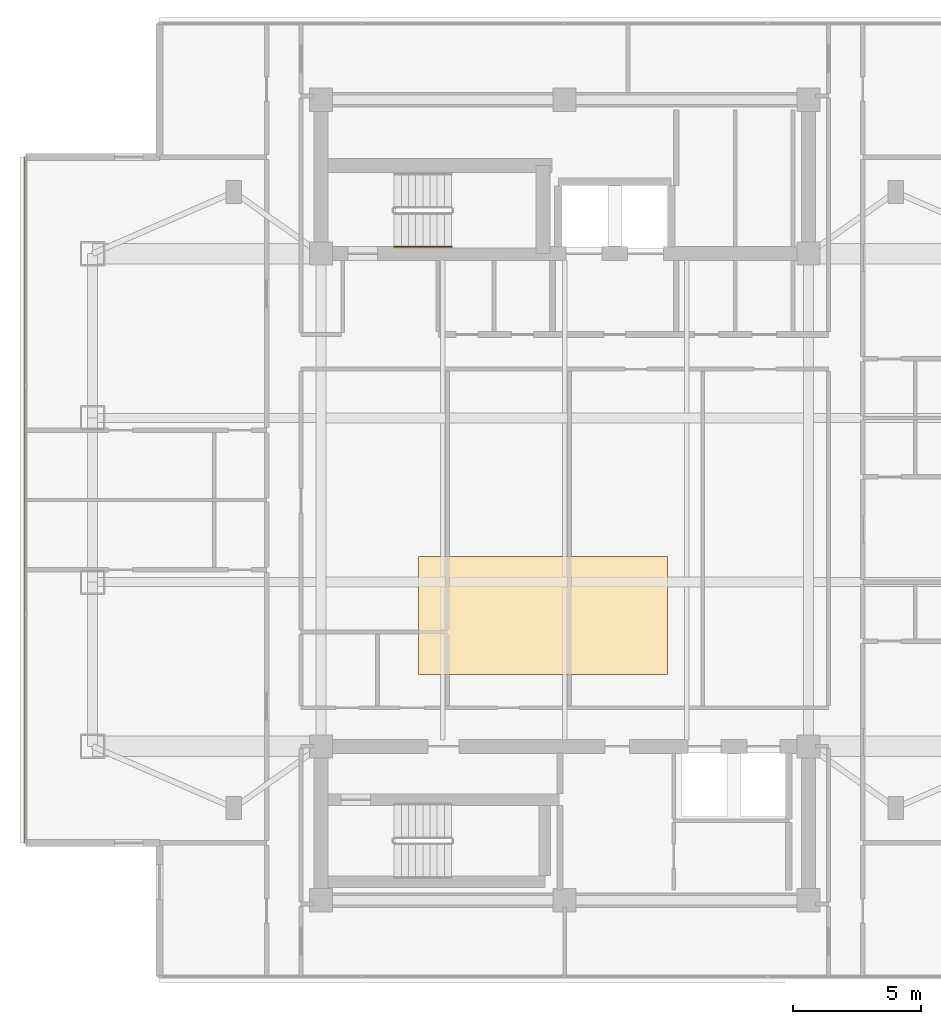
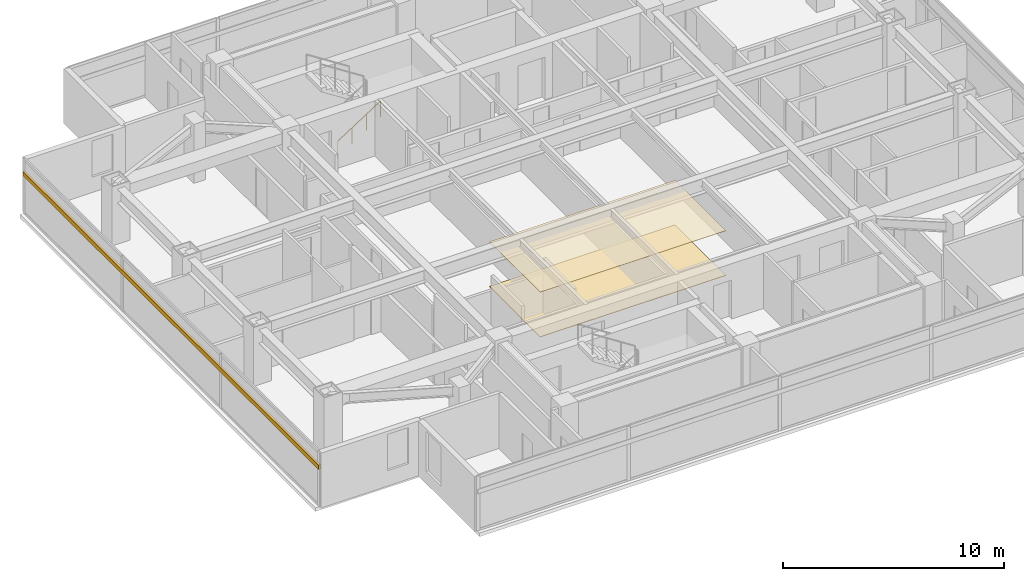
# One storey, part 21 of 26: 2 coverings, 1 railing, 1 shading device.
"""IFC4 building model written with IfcOpenShell, lengths in metres."""

from ifc_helpers import new_model, si_unit, direction, frame, origin, origin_2d, place, context, subcontext, project, spatial, polyline, rectangle, circle, outline, extrude, material, layer, layer_set, material_profile, profile_set, type_object, element, save


model = new_model("IFC4")

# Units and contexts
model_context = context("Model", 3, precision=1e-05, world=origin(), true_north=direction((0.0, 1.0)))
body_context = subcontext(model_context, "Body", "Model", "MODEL_VIEW")
ifc_project = project(units=[si_unit("LENGTHUNIT", "METRE"), si_unit("AREAUNIT", "SQUARE_METRE"), si_unit("VOLUMEUNIT", "CUBIC_METRE"), si_unit("PLANEANGLEUNIT", "RADIAN"), si_unit("MASSUNIT", "GRAM", prefix="KILO")], contexts=[model_context])

# Site, building, storey
site_placement = place(None, origin())
site = spatial("IfcSite", under=ifc_project, at=site_placement, CompositionType="ELEMENT")
building_placement = place(site_placement, origin())
building = spatial("IfcBuilding", under=site, at=building_placement, Name="Mirazonda Arch Towers", CompositionType="ELEMENT")
storey_placement = place(building_placement, frame((0.0, 0.0, 203.14990234375)))
storey = spatial("IfcBuildingStorey", under=building, at=storey_placement, Name="L58", CompositionType="ELEMENT", Elevation=203.14990234375)

# Shading device
ifc_material_1 = material(Name="Kiln-Fired Architectural Terracotta", Category="masonry")
ifc_material_profile = material_profile(ifc_material_1, rectangle(XDim=0.1201171875, YDim=0.239990234375, at=origin_2d()), Name="TERRA-BAG-120x240")
ifc_profile_set = profile_set([ifc_material_profile], Name="Kiln-Fired Architectural Terracotta")
shading_device_type = type_object("IfcShadingDeviceType", Name="BAGUETTE-1", PredefinedType="USERDEFINED", material=ifc_profile_set)
shading_device_placement = place(storey_placement, frame((-0.510009765625, 41.363037109375, 2.181640625), z_axis=(0.0, -1.0, 0.0), x_axis=(1.0, 0.0, 0.0)))
element("IfcShadingDevice", 1, at=shading_device_placement, inside=storey, type_object=shading_device_type, Name="L58 Glazed Terracotta Sun-Screen Baguette CW-L58-T1-W", ObjectType="BAGUETTE", PredefinedType="USERDEFINED", context=body_context, shape_type="SweptSolid", body=[
    extrude(rectangle(XDim=0.1201171875, YDim=0.239990234375, at=origin_2d()), origin(), (0.0, 0.0, 1.0), 26.72607421875),
])

# Coverings
ifc_material_2 = material(Name="Acoustic Mineral Fibre Ceiling")
ifc_layer_1 = layer(ifc_material_2, 0.02490234375, Name="COV-CEIL-ACOUSTIC")
ifc_layer_set_1 = layer_set([ifc_layer_1], Name="Acoustic Mineral Fibre Ceiling")
covering_type_1 = type_object("IfcCoveringType", Name="COV-CEIL-ACOUSTIC", PredefinedType="CEILING", material=ifc_layer_set_1)
covering_1_placement = place(storey_placement, frame((0.0, 0.0, 2.47509765625)))
element("IfcCovering", 2, at=covering_1_placement, inside=storey, type_object=covering_type_1, Name="L58 Suspended Acoustic Ceiling", PredefinedType="CEILING", context=body_context, shape_type="SweptSolid", body=[
    extrude(outline(polyline([(14.800048828125, 21.199951171875), (24.5, 21.199951171875), (24.5, 25.800048828125), (14.800048828125, 25.800048828125), (14.800048828125, 21.199951171875)])), origin(), (0.0, 0.0, 1.0), 0.02490234375),
])
ifc_material_3 = material(Name="Polished Terrazzo Stone Finish", Category="masonry")
ifc_layer_2 = layer(ifc_material_3, 0.030029296875, Name="COV-FLOOR-STONE")
ifc_layer_set_2 = layer_set([ifc_layer_2], Name="Polished Terrazzo Stone Finish")
covering_type_2 = type_object("IfcCoveringType", Name="COV-FLOOR-STONE", PredefinedType="FLOORING", material=ifc_layer_set_2)
covering_2_placement = place(storey_placement, origin())
element("IfcCovering", 3, at=covering_2_placement, inside=storey, type_object=covering_type_2, Name="L58 Polished Terrazzo Lobby Flooring", PredefinedType="FLOORING", context=body_context, shape_type="SweptSolid", body=[
    extrude(outline(polyline([(14.800048828125, 21.199951171875), (24.5, 21.199951171875), (24.5, 25.800048828125), (14.800048828125, 25.800048828125), (14.800048828125, 21.199951171875)])), origin(), (0.0, 0.0, 1.0), 0.030029296875),
])

# Railing
ifc_material_4 = material(Name="Architectural Brushed Steel S355", Category="steel")
railing_type = type_object("IfcRailingType", Name="HANDRAIL-915", PredefinedType="HANDRAIL", material=ifc_material_4)
railing_placement = place(storey_placement, frame((13.85009765625, 37.8701171875, 0.1806640625)))
element("IfcRailing", 4, at=railing_placement, inside=storey, type_object=railing_type, Name="L58 ST-T1N stair handrail 1", PredefinedType="HANDRAIL", context=body_context, shape_type="SweptSolid", body=[
    extrude(circle(Radius=0.02392578125, at=origin_2d()), frame((0.0, 0.0, 0.8759765625), z_axis=(0.840436612492, 0.0, 0.541909863706), x_axis=(0.0, 1.0, 0.0)), (0.0, 0.0, 1.0), 2.665283203125),
    extrude(circle(Radius=0.02099609375, at=origin_2d()), origin(), (0.0, 0.0, 1.0), 0.851806640625),
    extrude(circle(Radius=0.02099609375, at=origin_2d()), frame((0.74658203125, 0.0, 0.4814453125)), (0.0, 0.0, 1.0), 0.851806640625),
    extrude(circle(Radius=0.02099609375, at=origin_2d()), frame((1.493408203125, 0.0, 0.962890625)), (0.0, 0.0, 1.0), 0.851806640625),
    extrude(circle(Radius=0.02099609375, at=origin_2d()), frame((2.239990234375, 0.0, 1.4443359375)), (0.0, 0.0, 1.0), 0.851806640625),
])

save(model, "model.ifc")
